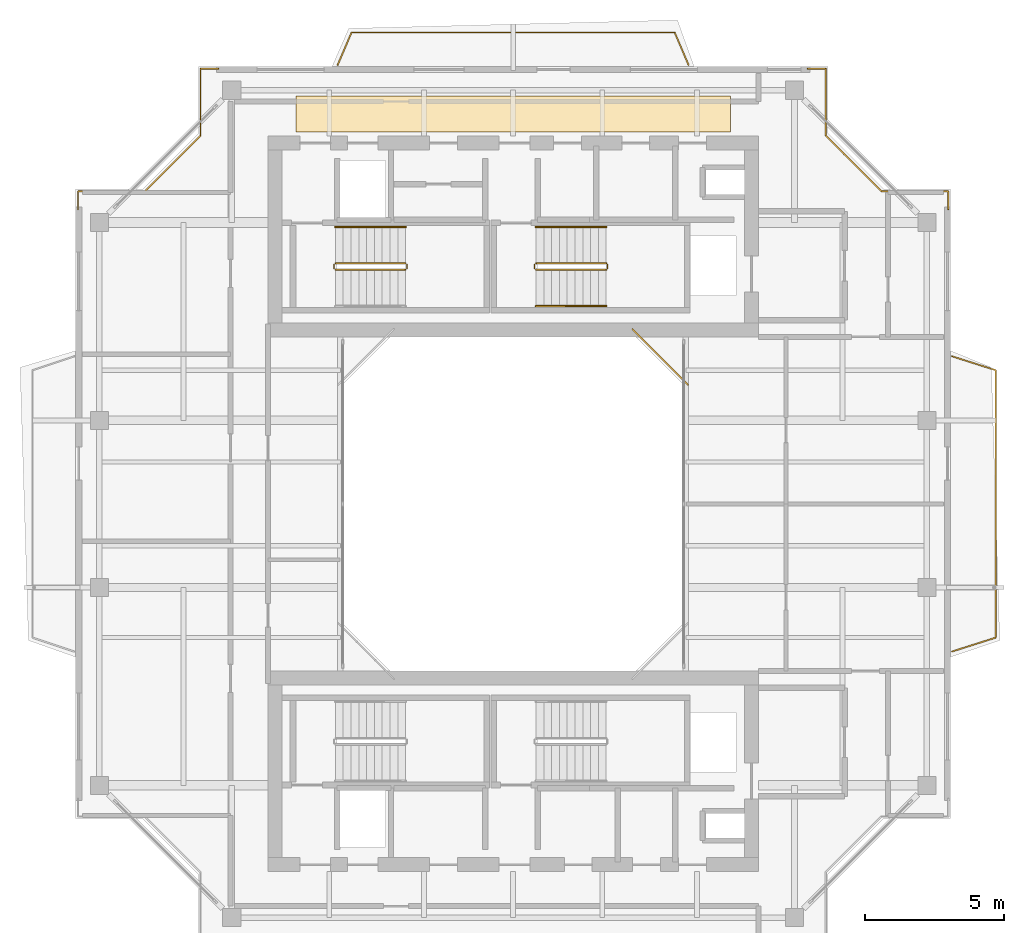
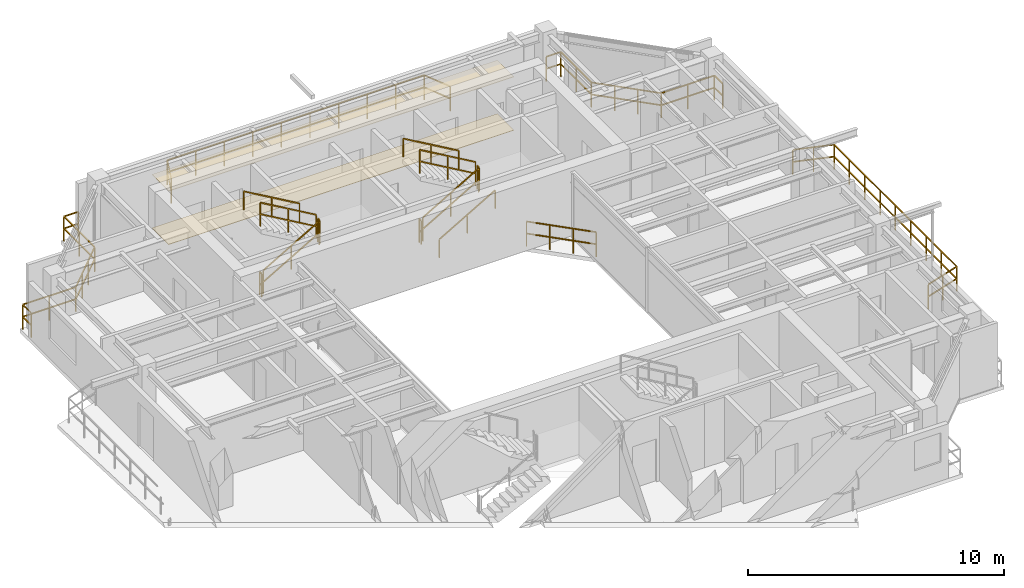
# One storey, part 14 of 14: 16 railings, 2 coverings.
"""IFC4 building model written with IfcOpenShell, lengths in metres."""

from ifc_helpers import new_model, si_unit, direction, frame, origin, origin_2d, place, context, subcontext, project, spatial, polyline, rectangle, outline, extrude, material, layer, layer_set, type_object, element, save


model = new_model("IFC4")

# Units and contexts
model_context = context("Model", 3, precision=1e-05, world=origin(), true_north=direction((0.0, 1.0)))
body_context = subcontext(model_context, "Body", "Model", "MODEL_VIEW")
ifc_project = project(units=[si_unit("LENGTHUNIT", "METRE"), si_unit("AREAUNIT", "SQUARE_METRE"), si_unit("VOLUMEUNIT", "CUBIC_METRE"), si_unit("PLANEANGLEUNIT", "RADIAN"), si_unit("MASSUNIT", "GRAM", prefix="KILO"), si_unit("THERMODYNAMICTEMPERATUREUNIT", "KELVIN"), si_unit("POWERUNIT", "WATT")], contexts=[model_context])

# Site, building, storey
site_placement = place(None, origin())
site = spatial("IfcSite", under=ifc_project, at=site_placement, CompositionType="ELEMENT")
building_placement = place(site_placement, origin())
building = spatial("IfcBuilding", under=site, at=building_placement, Name="Qiaomeng Ring Towers", CompositionType="ELEMENT")
storey_placement = place(building_placement, frame((0.0, 0.0, 240.5)))
storey = spatial("IfcBuildingStorey", under=building, at=storey_placement, Name="L70", CompositionType="ELEMENT", Elevation=240.5)

# Coverings
ifc_material_1 = material(Name="Mineral fibre acoustic ceiling tile", Category="gypsum")
ifc_layer_1 = layer(ifc_material_1, 0.02490234375, Name="Mineral fibre acoustic ceiling tile")
ifc_layer_set_1 = layer_set([ifc_layer_1], Name="Mineral fibre acoustic ceiling tile")
covering_type_1 = type_object("IfcCoveringType", Name="ARC-COV-CEIL1", PredefinedType="CEILING", material=ifc_layer_set_1)
covering_1_placement = place(storey_placement, frame((0.0, 0.0, 2.550048828125)))
element("IfcCovering", 1, at=covering_1_placement, inside=storey, type_object=covering_type_1, Name="L70 Corridor Acoustic Ceiling", PredefinedType="CEILING", context=body_context, shape_type="SweptSolid", body=[
    extrude(outline(polyline([(11.199951171875, 36.35009765625), (11.199951171875, 37.64990234375), (26.800048828125, 37.64990234375), (26.800048828125, 36.35009765625), (11.199951171875, 36.35009765625)])), origin(), (0.0, 0.0, 1.0), 0.02490234375),
])
ifc_material_2 = material(Name="Vitrified porcelain floor tile", Category="ceramic")
ifc_layer_2 = layer(ifc_material_2, 0.02001953125, Name="Vitrified porcelain floor tile")
ifc_layer_set_2 = layer_set([ifc_layer_2], Name="Vitrified porcelain floor tile")
covering_type_2 = type_object("IfcCoveringType", Name="ARC-COV-FLR1", PredefinedType="FLOORING", material=ifc_layer_set_2)
covering_2_placement = place(storey_placement, origin())
element("IfcCovering", 2, at=covering_2_placement, inside=storey, type_object=covering_type_2, Name="L70 Corridor Stone Flooring", PredefinedType="FLOORING", context=body_context, shape_type="SweptSolid", body=[
    extrude(outline(polyline([(11.199951171875, 36.35009765625), (11.199951171875, 37.64990234375), (26.800048828125, 37.64990234375), (26.800048828125, 36.35009765625), (11.199951171875, 36.35009765625)])), origin(), (0.0, 0.0, 1.0), 0.02001953125),
])

# Railings
ifc_material_3 = material(Name="Low-E pale-green laminated safety glass", Category="glass")
railing_type_1 = type_object("IfcRailingType", Name="ARC-RL-BAL1", PredefinedType="BALUSTRADE", material=ifc_material_3)
railing_1_placement = place(storey_placement, frame((25.280029296875, 27.280029296875, 0.0)))
element("IfcRailing", 3, at=railing_1_placement, inside=storey, type_object=railing_type_1, Name="L70 Balustrade ARC-BAL-WELL1-L70-2", PredefinedType="BALUSTRADE", context=body_context, shape_type="SweptSolid", body=[
    extrude(rectangle(XDim=0.048095703125, YDim=0.048095703125, at=origin_2d()), frame((0.0, 0.0, 1.17578125), z_axis=(-0.707106781187, 0.707106781187, 0.0), x_axis=(-0.707106781187, -0.707106781187, 0.0)), (0.0, 0.0, 1.0), 2.828369140625),
    extrude(rectangle(XDim=0.048095703125, YDim=0.048095703125, at=origin_2d()), frame((0.0, 0.0, 0.60009765625), z_axis=(-0.707106781187, 0.707106781187, 0.0), x_axis=(-0.707106781187, -0.707106781187, 0.0)), (0.0, 0.0, 1.0), 2.828369140625),
    extrude(rectangle(XDim=0.0419921875, YDim=0.0419921875, at=origin_2d()), origin(), (0.0, 0.0, 1.0), 1.15185546875),
    extrude(rectangle(XDim=0.0419921875, YDim=0.0419921875, at=origin_2d()), frame((-0.666748046875, 0.666748046875, 0.0)), (0.0, 0.0, 1.0), 1.15185546875),
    extrude(rectangle(XDim=0.0419921875, YDim=0.0419921875, at=origin_2d()), frame((-1.333251953125, 1.333251953125, 0.0)), (0.0, 0.0, 1.0), 1.15185546875),
    extrude(rectangle(XDim=0.0419921875, YDim=0.0419921875, at=origin_2d()), frame((-2.0, 2.0, 0.0)), (0.0, 0.0, 1.0), 1.15185546875),
])
railing_2_placement = place(storey_placement, frame((34.6201171875, 33.570068359375, 0.0)))
element("IfcRailing", 4, at=railing_2_placement, inside=storey, type_object=railing_type_1, Name="L70 Balustrade ARC-BAL-NOTCH1-L70-NE", PredefinedType="BALUSTRADE", context=body_context, shape_type="SweptSolid", body=[
    extrude(rectangle(XDim=0.048095703125, YDim=0.048095703125, at=origin_2d()), frame((0.0, 0.0, 1.17578125), z_axis=(0.0, 1.0, 0.0), x_axis=(-1.0, 0.0, 0.0)), (0.0, 0.0, 1.0), 0.64990234375),
    extrude(rectangle(XDim=0.048095703125, YDim=0.048095703125, at=origin_2d()), frame((0.0, 0.0, 0.60009765625), z_axis=(0.0, 1.0, 0.0), x_axis=(-1.0, 0.0, 0.0)), (0.0, 0.0, 1.0), 0.64990234375),
    extrude(rectangle(XDim=0.048095703125, YDim=0.048095703125, at=origin_2d()), frame((0.0, 0.64990234375, 1.17578125), z_axis=(-1.0, 0.0, 0.0), x_axis=(0.0, -1.0, 0.0)), (0.0, 0.0, 1.0), 2.400146484375),
    extrude(rectangle(XDim=0.048095703125, YDim=0.048095703125, at=origin_2d()), frame((0.0, 0.64990234375, 0.60009765625), z_axis=(-1.0, 0.0, 0.0), x_axis=(0.0, -1.0, 0.0)), (0.0, 0.0, 1.0), 2.400146484375),
    extrude(rectangle(XDim=0.048095703125, YDim=0.048095703125, at=origin_2d()), frame((-2.400146484375, 0.64990234375, 1.17578125), z_axis=(-0.707106781187, 0.707106781187, 0.0), x_axis=(-0.707106781187, -0.707106781187, 0.0)), (0.0, 0.0, 1.0), 2.828369140625),
    extrude(rectangle(XDim=0.048095703125, YDim=0.048095703125, at=origin_2d()), frame((-2.400146484375, 0.64990234375, 0.60009765625), z_axis=(-0.707106781187, 0.707106781187, 0.0), x_axis=(-0.707106781187, -0.707106781187, 0.0)), (0.0, 0.0, 1.0), 2.828369140625),
    extrude(rectangle(XDim=0.048095703125, YDim=0.048095703125, at=origin_2d()), frame((-4.400146484375, 2.64990234375, 1.17578125), z_axis=(0.0, 1.0, 0.0), x_axis=(-1.0, 0.0, 0.0)), (0.0, 0.0, 1.0), 2.400146484375),
    extrude(rectangle(XDim=0.048095703125, YDim=0.048095703125, at=origin_2d()), frame((-4.400146484375, 2.64990234375, 0.60009765625), z_axis=(0.0, 1.0, 0.0), x_axis=(-1.0, 0.0, 0.0)), (0.0, 0.0, 1.0), 2.400146484375),
    extrude(rectangle(XDim=0.048095703125, YDim=0.048095703125, at=origin_2d()), frame((-4.400146484375, 5.050048828125, 1.17578125), z_axis=(-1.0, 0.0, 0.0), x_axis=(0.0, -1.0, 0.0)), (0.0, 0.0, 1.0), 0.64990234375),
    extrude(rectangle(XDim=0.048095703125, YDim=0.048095703125, at=origin_2d()), frame((-4.400146484375, 5.050048828125, 0.60009765625), z_axis=(-1.0, 0.0, 0.0), x_axis=(0.0, -1.0, 0.0)), (0.0, 0.0, 1.0), 0.64990234375),
    extrude(rectangle(XDim=0.0419921875, YDim=0.0419921875, at=origin_2d()), origin(), (0.0, 0.0, 1.0), 1.15185546875),
    extrude(rectangle(XDim=0.0419921875, YDim=0.0419921875, at=origin_2d()), frame((0.0, 0.64990234375, 0.0)), (0.0, 0.0, 1.0), 1.15185546875),
    extrude(rectangle(XDim=0.0419921875, YDim=0.0419921875, at=origin_2d()), frame((-1.2001953125, 0.64990234375, 0.0)), (0.0, 0.0, 1.0), 1.15185546875),
    extrude(rectangle(XDim=0.0419921875, YDim=0.0419921875, at=origin_2d()), frame((-2.400146484375, 0.64990234375, 0.0)), (0.0, 0.0, 1.0), 1.15185546875),
    extrude(rectangle(XDim=0.0419921875, YDim=0.0419921875, at=origin_2d()), frame((-3.06689453125, 1.316650390625, 0.0)), (0.0, 0.0, 1.0), 1.15185546875),
    extrude(rectangle(XDim=0.0419921875, YDim=0.0419921875, at=origin_2d()), frame((-3.7333984375, 1.983154296875, 0.0)), (0.0, 0.0, 1.0), 1.15185546875),
    extrude(rectangle(XDim=0.0419921875, YDim=0.0419921875, at=origin_2d()), frame((-4.400146484375, 2.64990234375, 0.0)), (0.0, 0.0, 1.0), 1.15185546875),
    extrude(rectangle(XDim=0.0419921875, YDim=0.0419921875, at=origin_2d()), frame((-4.400146484375, 3.85009765625, 0.0)), (0.0, 0.0, 1.0), 1.15185546875),
    extrude(rectangle(XDim=0.0419921875, YDim=0.0419921875, at=origin_2d()), frame((-4.400146484375, 5.050048828125, 0.0)), (0.0, 0.0, 1.0), 1.15185546875),
    extrude(rectangle(XDim=0.0419921875, YDim=0.0419921875, at=origin_2d()), frame((-5.050048828125, 5.050048828125, 0.0)), (0.0, 0.0, 1.0), 1.15185546875),
])
railing_3_placement = place(storey_placement, frame((8.429931640625, 38.6201171875, 0.0)))
element("IfcRailing", 5, at=railing_3_placement, inside=storey, type_object=railing_type_1, Name="L70 Balustrade ARC-BAL-NOTCH1-L70-NW", PredefinedType="BALUSTRADE", context=body_context, shape_type="SweptSolid", body=[
    extrude(rectangle(XDim=0.048095703125, YDim=0.048095703125, at=origin_2d()), frame((0.0, 0.0, 1.17578125), z_axis=(-1.0, 0.0, 0.0), x_axis=(0.0, -1.0, 0.0)), (0.0, 0.0, 1.0), 0.64990234375),
    extrude(rectangle(XDim=0.048095703125, YDim=0.048095703125, at=origin_2d()), frame((0.0, 0.0, 0.60009765625), z_axis=(-1.0, 0.0, 0.0), x_axis=(0.0, -1.0, 0.0)), (0.0, 0.0, 1.0), 0.64990234375),
    extrude(rectangle(XDim=0.048095703125, YDim=0.048095703125, at=origin_2d()), frame((-0.64990234375, 0.0, 1.17578125), z_axis=(0.0, -1.0, 0.0), x_axis=(1.0, 0.0, 0.0)), (0.0, 0.0, 1.0), 2.400146484375),
    extrude(rectangle(XDim=0.048095703125, YDim=0.048095703125, at=origin_2d()), frame((-0.64990234375, 0.0, 0.60009765625), z_axis=(0.0, -1.0, 0.0), x_axis=(1.0, 0.0, 0.0)), (0.0, 0.0, 1.0), 2.400146484375),
    extrude(rectangle(XDim=0.048095703125, YDim=0.048095703125, at=origin_2d()), frame((-0.64990234375, -2.400146484375, 1.17578125), z_axis=(-0.707106781187, -0.707106781187, 0.0), x_axis=(0.707106781187, -0.707106781187, 0.0)), (0.0, 0.0, 1.0), 2.828369140625),
    extrude(rectangle(XDim=0.048095703125, YDim=0.048095703125, at=origin_2d()), frame((-0.64990234375, -2.400146484375, 0.60009765625), z_axis=(-0.707106781187, -0.707106781187, 0.0), x_axis=(0.707106781187, -0.707106781187, 0.0)), (0.0, 0.0, 1.0), 2.828369140625),
    extrude(rectangle(XDim=0.048095703125, YDim=0.048095703125, at=origin_2d()), frame((-2.64990234375, -4.400146484375, 1.17578125), z_axis=(-1.0, 0.0, 0.0), x_axis=(0.0, -1.0, 0.0)), (0.0, 0.0, 1.0), 2.400146484375),
    extrude(rectangle(XDim=0.048095703125, YDim=0.048095703125, at=origin_2d()), frame((-2.64990234375, -4.400146484375, 0.60009765625), z_axis=(-1.0, 0.0, 0.0), x_axis=(0.0, -1.0, 0.0)), (0.0, 0.0, 1.0), 2.400146484375),
    extrude(rectangle(XDim=0.048095703125, YDim=0.048095703125, at=origin_2d()), frame((-5.050048828125, -4.400146484375, 1.17578125), z_axis=(0.0, -1.0, 0.0), x_axis=(1.0, 0.0, 0.0)), (0.0, 0.0, 1.0), 0.64990234375),
    extrude(rectangle(XDim=0.048095703125, YDim=0.048095703125, at=origin_2d()), frame((-5.050048828125, -4.400146484375, 0.60009765625), z_axis=(0.0, -1.0, 0.0), x_axis=(1.0, 0.0, 0.0)), (0.0, 0.0, 1.0), 0.64990234375),
    extrude(rectangle(XDim=0.0419921875, YDim=0.0419921875, at=origin_2d()), origin(), (0.0, 0.0, 1.0), 1.15185546875),
    extrude(rectangle(XDim=0.0419921875, YDim=0.0419921875, at=origin_2d()), frame((-0.64990234375, 0.0, 0.0)), (0.0, 0.0, 1.0), 1.15185546875),
    extrude(rectangle(XDim=0.0419921875, YDim=0.0419921875, at=origin_2d()), frame((-0.64990234375, -1.2001953125, 0.0)), (0.0, 0.0, 1.0), 1.15185546875),
    extrude(rectangle(XDim=0.0419921875, YDim=0.0419921875, at=origin_2d()), frame((-0.64990234375, -2.400146484375, 0.0)), (0.0, 0.0, 1.0), 1.15185546875),
    extrude(rectangle(XDim=0.0419921875, YDim=0.0419921875, at=origin_2d()), frame((-1.316650390625, -3.06689453125, 0.0)), (0.0, 0.0, 1.0), 1.15185546875),
    extrude(rectangle(XDim=0.0419921875, YDim=0.0419921875, at=origin_2d()), frame((-1.983154296875, -3.7333984375, 0.0)), (0.0, 0.0, 1.0), 1.15185546875),
    extrude(rectangle(XDim=0.0419921875, YDim=0.0419921875, at=origin_2d()), frame((-2.64990234375, -4.400146484375, 0.0)), (0.0, 0.0, 1.0), 1.15185546875),
    extrude(rectangle(XDim=0.0419921875, YDim=0.0419921875, at=origin_2d()), frame((-3.85009765625, -4.400146484375, 0.0)), (0.0, 0.0, 1.0), 1.15185546875),
    extrude(rectangle(XDim=0.0419921875, YDim=0.0419921875, at=origin_2d()), frame((-5.050048828125, -4.400146484375, 0.0)), (0.0, 0.0, 1.0), 1.15185546875),
    extrude(rectangle(XDim=0.0419921875, YDim=0.0419921875, at=origin_2d()), frame((-5.050048828125, -5.050048828125, 0.0)), (0.0, 0.0, 1.0), 1.15185546875),
])
railing_4_placement = place(storey_placement, frame((34.75, 17.699951171875, 0.0)))
element("IfcRailing", 6, at=railing_4_placement, inside=storey, type_object=railing_type_1, Name="L70 Balustrade ARC-BAL-L70-T1-E", PredefinedType="BALUSTRADE", context=body_context, shape_type="SweptSolid", body=[
    extrude(rectangle(XDim=0.048095703125, YDim=0.048095703125, at=origin_2d()), frame((0.0, 0.0, 1.17578125), z_axis=(0.952849860715, 0.303442157479, 0.0), x_axis=(-0.303442157479, 0.952849860715, 0.0)), (0.0, 0.0, 1.0), 1.647705078125),
    extrude(rectangle(XDim=0.048095703125, YDim=0.048095703125, at=origin_2d()), frame((0.0, 0.0, 0.60009765625), z_axis=(0.952849860715, 0.303442157479, 0.0), x_axis=(-0.303442157479, 0.952849860715, 0.0)), (0.0, 0.0, 1.0), 1.647705078125),
    extrude(rectangle(XDim=0.048095703125, YDim=0.048095703125, at=origin_2d()), frame((1.570068359375, 0.5, 1.17578125), z_axis=(0.0, 1.0, 0.0), x_axis=(-1.0, 0.0, 0.0)), (0.0, 0.0, 1.0), 9.60009765625),
    extrude(rectangle(XDim=0.048095703125, YDim=0.048095703125, at=origin_2d()), frame((1.570068359375, 0.5, 0.60009765625), z_axis=(0.0, 1.0, 0.0), x_axis=(-1.0, 0.0, 0.0)), (0.0, 0.0, 1.0), 9.60009765625),
    extrude(rectangle(XDim=0.048095703125, YDim=0.048095703125, at=origin_2d()), frame((1.570068359375, 10.10009765625, 1.17578125), z_axis=(-0.952849860715, 0.303442157479, 0.0), x_axis=(-0.303442157479, -0.952849860715, 0.0)), (0.0, 0.0, 1.0), 1.647705078125),
    extrude(rectangle(XDim=0.048095703125, YDim=0.048095703125, at=origin_2d()), frame((1.570068359375, 10.10009765625, 0.60009765625), z_axis=(-0.952849860715, 0.303442157479, 0.0), x_axis=(-0.303442157479, -0.952849860715, 0.0)), (0.0, 0.0, 1.0), 1.647705078125),
    extrude(rectangle(XDim=0.0419921875, YDim=0.0419921875, at=origin_2d()), origin(), (0.0, 0.0, 1.0), 1.15185546875),
    extrude(rectangle(XDim=0.0419921875, YDim=0.0419921875, at=origin_2d()), frame((0.78515625, 0.25, 0.0)), (0.0, 0.0, 1.0), 1.15185546875),
    extrude(rectangle(XDim=0.0419921875, YDim=0.0419921875, at=origin_2d()), frame((1.570068359375, 0.5, 0.0)), (0.0, 0.0, 1.0), 1.15185546875),
    extrude(rectangle(XDim=0.0419921875, YDim=0.0419921875, at=origin_2d()), frame((1.570068359375, 1.699951171875, 0.0)), (0.0, 0.0, 1.0), 1.15185546875),
    extrude(rectangle(XDim=0.0419921875, YDim=0.0419921875, at=origin_2d()), frame((1.570068359375, 2.89990234375, 0.0)), (0.0, 0.0, 1.0), 1.15185546875),
    extrude(rectangle(XDim=0.0419921875, YDim=0.0419921875, at=origin_2d()), frame((1.570068359375, 4.10009765625, 0.0)), (0.0, 0.0, 1.0), 1.15185546875),
    extrude(rectangle(XDim=0.0419921875, YDim=0.0419921875, at=origin_2d()), frame((1.570068359375, 5.300048828125, 0.0)), (0.0, 0.0, 1.0), 1.15185546875),
    extrude(rectangle(XDim=0.0419921875, YDim=0.0419921875, at=origin_2d()), frame((1.570068359375, 6.5, 0.0)), (0.0, 0.0, 1.0), 1.15185546875),
    extrude(rectangle(XDim=0.0419921875, YDim=0.0419921875, at=origin_2d()), frame((1.570068359375, 7.7001953125, 0.0)), (0.0, 0.0, 1.0), 1.15185546875),
    extrude(rectangle(XDim=0.0419921875, YDim=0.0419921875, at=origin_2d()), frame((1.570068359375, 8.900146484375, 0.0)), (0.0, 0.0, 1.0), 1.15185546875),
    extrude(rectangle(XDim=0.0419921875, YDim=0.0419921875, at=origin_2d()), frame((1.570068359375, 10.10009765625, 0.0)), (0.0, 0.0, 1.0), 1.15185546875),
    extrude(rectangle(XDim=0.0419921875, YDim=0.0419921875, at=origin_2d()), frame((0.78515625, 10.35009765625, 0.0)), (0.0, 0.0, 1.0), 1.15185546875),
    extrude(rectangle(XDim=0.0419921875, YDim=0.0419921875, at=origin_2d()), frame((0.0, 10.60009765625, 0.0)), (0.0, 0.0, 1.0), 1.15185546875),
])
railing_5_placement = place(storey_placement, frame((12.699951171875, 38.75, 0.0)))
element("IfcRailing", 7, at=railing_5_placement, inside=storey, type_object=railing_type_1, Name="L70 Balustrade ARC-BAL-L70-T1-N", PredefinedType="BALUSTRADE", context=body_context, shape_type="SweptSolid", body=[
    extrude(rectangle(XDim=0.048095703125, YDim=0.048095703125, at=origin_2d()), frame((0.0, 0.0, 1.17578125), z_axis=(0.39299272826, 0.919541579014, 0.0), x_axis=(-0.919541579014, 0.39299272826, 0.0)), (0.0, 0.0, 1.0), 1.272216796875),
    extrude(rectangle(XDim=0.048095703125, YDim=0.048095703125, at=origin_2d()), frame((0.0, 0.0, 0.60009765625), z_axis=(0.39299272826, 0.919541579014, 0.0), x_axis=(-0.919541579014, 0.39299272826, 0.0)), (0.0, 0.0, 1.0), 1.272216796875),
    extrude(rectangle(XDim=0.048095703125, YDim=0.048095703125, at=origin_2d()), frame((0.5, 1.169921875, 1.17578125), z_axis=(1.0, 0.0, 0.0), x_axis=(0.0, 1.0, 0.0)), (0.0, 0.0, 1.0), 11.60009765625),
    extrude(rectangle(XDim=0.048095703125, YDim=0.048095703125, at=origin_2d()), frame((0.5, 1.169921875, 0.60009765625), z_axis=(1.0, 0.0, 0.0), x_axis=(0.0, 1.0, 0.0)), (0.0, 0.0, 1.0), 11.60009765625),
    extrude(rectangle(XDim=0.048095703125, YDim=0.048095703125, at=origin_2d()), frame((12.10009765625, 1.169921875, 1.17578125), z_axis=(0.39299272826, -0.919541579014, 0.0), x_axis=(0.919541579014, 0.39299272826, 0.0)), (0.0, 0.0, 1.0), 1.272216796875),
    extrude(rectangle(XDim=0.048095703125, YDim=0.048095703125, at=origin_2d()), frame((12.10009765625, 1.169921875, 0.60009765625), z_axis=(0.39299272826, -0.919541579014, 0.0), x_axis=(0.919541579014, 0.39299272826, 0.0)), (0.0, 0.0, 1.0), 1.272216796875),
    extrude(rectangle(XDim=0.0419921875, YDim=0.0419921875, at=origin_2d()), origin(), (0.0, 0.0, 1.0), 1.15185546875),
    extrude(rectangle(XDim=0.0419921875, YDim=0.0419921875, at=origin_2d()), frame((0.5, 1.169921875, 0.0)), (0.0, 0.0, 1.0), 1.15185546875),
    extrude(rectangle(XDim=0.0419921875, YDim=0.0419921875, at=origin_2d()), frame((1.788818359375, 1.169921875, 0.0)), (0.0, 0.0, 1.0), 1.15185546875),
    extrude(rectangle(XDim=0.0419921875, YDim=0.0419921875, at=origin_2d()), frame((3.077880859375, 1.169921875, 0.0)), (0.0, 0.0, 1.0), 1.15185546875),
    extrude(rectangle(XDim=0.0419921875, YDim=0.0419921875, at=origin_2d()), frame((4.36669921875, 1.169921875, 0.0)), (0.0, 0.0, 1.0), 1.15185546875),
    extrude(rectangle(XDim=0.0419921875, YDim=0.0419921875, at=origin_2d()), frame((5.655517578125, 1.169921875, 0.0)), (0.0, 0.0, 1.0), 1.15185546875),
    extrude(rectangle(XDim=0.0419921875, YDim=0.0419921875, at=origin_2d()), frame((6.944580078125, 1.169921875, 0.0)), (0.0, 0.0, 1.0), 1.15185546875),
    extrude(rectangle(XDim=0.0419921875, YDim=0.0419921875, at=origin_2d()), frame((8.2333984375, 1.169921875, 0.0)), (0.0, 0.0, 1.0), 1.15185546875),
    extrude(rectangle(XDim=0.0419921875, YDim=0.0419921875, at=origin_2d()), frame((9.522216796875, 1.169921875, 0.0)), (0.0, 0.0, 1.0), 1.15185546875),
    extrude(rectangle(XDim=0.0419921875, YDim=0.0419921875, at=origin_2d()), frame((10.811279296875, 1.169921875, 0.0)), (0.0, 0.0, 1.0), 1.15185546875),
    extrude(rectangle(XDim=0.0419921875, YDim=0.0419921875, at=origin_2d()), frame((12.10009765625, 1.169921875, 0.0)), (0.0, 0.0, 1.0), 1.15185546875),
    extrude(rectangle(XDim=0.0419921875, YDim=0.0419921875, at=origin_2d()), frame((12.60009765625, 0.0, 0.0)), (0.0, 0.0, 1.0), 1.15185546875),
])
ifc_material_4 = material(Name="Galvanised steel", Category="steel")
railing_type_2 = type_object("IfcRailingType", Name="ARC-RL-GUARD", PredefinedType="GUARDRAIL", material=ifc_material_4)
railing_6_placement = place(storey_placement, frame((12.6201171875, 31.39990234375, 0.16259765625)))
element("IfcRailing", 8, at=railing_6_placement, inside=storey, type_object=railing_type_2, Name="L70 ST1 stair guard 1", PredefinedType="GUARDRAIL", context=body_context, shape_type="SweptSolid", body=[
    extrude(rectangle(XDim=0.048095703125, YDim=0.048095703125, at=origin_2d()), frame((0.0, 0.0, 1.1259765625), z_axis=(0.864892226395, 0.0, 0.501957604506), x_axis=(0.0, 1.0, 0.0)), (0.0, 0.0, 1.0), 2.913330078125),
    extrude(rectangle(XDim=0.048095703125, YDim=0.048095703125, at=origin_2d()), frame((0.0, 0.0, 0.574951171875), z_axis=(0.864892226395, 0.0, 0.501957604506), x_axis=(0.0, 1.0, 0.0)), (0.0, 0.0, 1.0), 2.913330078125),
    extrude(rectangle(XDim=0.0419921875, YDim=0.0419921875, at=origin_2d()), origin(), (0.0, 0.0, 1.0), 1.101806640625),
    extrude(rectangle(XDim=0.0419921875, YDim=0.0419921875, at=origin_2d()), frame((1.259765625, 0.0, 0.731201171875)), (0.0, 0.0, 1.0), 1.101806640625),
    extrude(rectangle(XDim=0.0419921875, YDim=0.0419921875, at=origin_2d()), frame((2.519775390625, 0.0, 1.46240234375)), (0.0, 0.0, 1.0), 1.101806640625),
])
railing_7_placement = place(storey_placement, frame((15.18994140625, 31.449951171875, 1.625)))
element("IfcRailing", 9, at=railing_7_placement, inside=storey, type_object=railing_type_2, Name="L70 ST1 stair guard 2", PredefinedType="GUARDRAIL", context=body_context, shape_type="SweptSolid", body=[
    extrude(rectangle(XDim=0.048095703125, YDim=0.048095703125, at=origin_2d()), frame((0.0, 0.0, 1.1259765625), z_axis=(0.0, 1.0, 0.0), x_axis=(-1.0, 0.0, 0.0)), (0.0, 0.0, 1.0), 0.14013671875),
    extrude(rectangle(XDim=0.048095703125, YDim=0.048095703125, at=origin_2d()), frame((0.0, 0.0, 0.574951171875), z_axis=(0.0, 1.0, 0.0), x_axis=(-1.0, 0.0, 0.0)), (0.0, 0.0, 1.0), 0.14013671875),
    extrude(rectangle(XDim=0.0419921875, YDim=0.0419921875, at=origin_2d()), origin(), (0.0, 0.0, 1.0), 1.101806640625),
    extrude(rectangle(XDim=0.0419921875, YDim=0.0419921875, at=origin_2d()), frame((0.0, 0.14013671875, 0.0)), (0.0, 0.0, 1.0), 1.101806640625),
])
railing_8_placement = place(storey_placement, frame((15.139892578125, 31.639892578125, 1.78759765625)))
element("IfcRailing", 10, at=railing_8_placement, inside=storey, type_object=railing_type_2, Name="L70 ST1 stair guard 3", PredefinedType="GUARDRAIL", context=body_context, shape_type="SweptSolid", body=[
    extrude(rectangle(XDim=0.048095703125, YDim=0.048095703125, at=origin_2d()), frame((0.0, 0.0, 1.1259765625), z_axis=(-0.864892226395, 0.0, 0.501957604506), x_axis=(0.0, -1.0, 0.0)), (0.0, 0.0, 1.0), 2.913330078125),
    extrude(rectangle(XDim=0.048095703125, YDim=0.048095703125, at=origin_2d()), frame((0.0, 0.0, 0.574951171875), z_axis=(-0.864892226395, 0.0, 0.501957604506), x_axis=(0.0, -1.0, 0.0)), (0.0, 0.0, 1.0), 2.913330078125),
    extrude(rectangle(XDim=0.0419921875, YDim=0.0419921875, at=origin_2d()), origin(), (0.0, 0.0, 1.0), 1.101806640625),
    extrude(rectangle(XDim=0.0419921875, YDim=0.0419921875, at=origin_2d()), frame((-1.259765625, 0.0, 0.731201171875)), (0.0, 0.0, 1.0), 1.101806640625),
    extrude(rectangle(XDim=0.0419921875, YDim=0.0419921875, at=origin_2d()), frame((-2.519775390625, 0.0, 1.46240234375)), (0.0, 0.0, 1.0), 1.101806640625),
])
railing_9_placement = place(storey_placement, frame((12.570068359375, 31.449951171875, 0.0)))
element("IfcRailing", 11, at=railing_9_placement, inside=storey, type_object=railing_type_2, Name="L70 ST1 stair guard 4", PredefinedType="GUARDRAIL", context=body_context, shape_type="SweptSolid", body=[
    extrude(rectangle(XDim=0.048095703125, YDim=0.048095703125, at=origin_2d()), frame((0.0, 0.0, 1.1259765625), z_axis=(0.0, 1.0, 0.0), x_axis=(-1.0, 0.0, 0.0)), (0.0, 0.0, 1.0), 0.14013671875),
    extrude(rectangle(XDim=0.048095703125, YDim=0.048095703125, at=origin_2d()), frame((0.0, 0.0, 0.574951171875), z_axis=(0.0, 1.0, 0.0), x_axis=(-1.0, 0.0, 0.0)), (0.0, 0.0, 1.0), 0.14013671875),
    extrude(rectangle(XDim=0.0419921875, YDim=0.0419921875, at=origin_2d()), origin(), (0.0, 0.0, 1.0), 1.101806640625),
    extrude(rectangle(XDim=0.0419921875, YDim=0.0419921875, at=origin_2d()), frame((0.0, 0.14013671875, 0.0)), (0.0, 0.0, 1.0), 1.101806640625),
])
railing_10_placement = place(storey_placement, frame((19.820068359375, 31.39990234375, 0.16259765625)))
element("IfcRailing", 12, at=railing_10_placement, inside=storey, type_object=railing_type_2, Name="L70 ST2 stair guard 1", PredefinedType="GUARDRAIL", context=body_context, shape_type="SweptSolid", body=[
    extrude(rectangle(XDim=0.048095703125, YDim=0.048095703125, at=origin_2d()), frame((0.0, 0.0, 1.1259765625), z_axis=(0.864913338283, 0.0, 0.50192122615), x_axis=(0.0, 1.0, 0.0)), (0.0, 0.0, 1.0), 2.91357421875),
    extrude(rectangle(XDim=0.048095703125, YDim=0.048095703125, at=origin_2d()), frame((0.0, 0.0, 0.574951171875), z_axis=(0.864913338283, 0.0, 0.50192122615), x_axis=(0.0, 1.0, 0.0)), (0.0, 0.0, 1.0), 2.91357421875),
    extrude(rectangle(XDim=0.0419921875, YDim=0.0419921875, at=origin_2d()), origin(), (0.0, 0.0, 1.0), 1.101806640625),
    extrude(rectangle(XDim=0.0419921875, YDim=0.0419921875, at=origin_2d()), frame((1.260009765625, 0.0, 0.731201171875)), (0.0, 0.0, 1.0), 1.101806640625),
    extrude(rectangle(XDim=0.0419921875, YDim=0.0419921875, at=origin_2d()), frame((2.52001953125, 0.0, 1.46240234375)), (0.0, 0.0, 1.0), 1.101806640625),
])
railing_11_placement = place(storey_placement, frame((22.389892578125, 31.449951171875, 1.625)))
element("IfcRailing", 13, at=railing_11_placement, inside=storey, type_object=railing_type_2, Name="L70 ST2 stair guard 2", PredefinedType="GUARDRAIL", context=body_context, shape_type="SweptSolid", body=[
    extrude(rectangle(XDim=0.048095703125, YDim=0.048095703125, at=origin_2d()), frame((0.0, 0.0, 1.1259765625), z_axis=(0.0, 1.0, 0.0), x_axis=(-1.0, 0.0, 0.0)), (0.0, 0.0, 1.0), 0.14013671875),
    extrude(rectangle(XDim=0.048095703125, YDim=0.048095703125, at=origin_2d()), frame((0.0, 0.0, 0.574951171875), z_axis=(0.0, 1.0, 0.0), x_axis=(-1.0, 0.0, 0.0)), (0.0, 0.0, 1.0), 0.14013671875),
    extrude(rectangle(XDim=0.0419921875, YDim=0.0419921875, at=origin_2d()), origin(), (0.0, 0.0, 1.0), 1.101806640625),
    extrude(rectangle(XDim=0.0419921875, YDim=0.0419921875, at=origin_2d()), frame((0.0, 0.14013671875, 0.0)), (0.0, 0.0, 1.0), 1.101806640625),
])
railing_12_placement = place(storey_placement, frame((22.340087890625, 31.639892578125, 1.78759765625)))
element("IfcRailing", 14, at=railing_12_placement, inside=storey, type_object=railing_type_2, Name="L70 ST2 stair guard 3", PredefinedType="GUARDRAIL", context=body_context, shape_type="SweptSolid", body=[
    extrude(rectangle(XDim=0.048095703125, YDim=0.048095703125, at=origin_2d()), frame((0.0, 0.0, 1.1259765625), z_axis=(-0.864913338283, 0.0, 0.50192122615), x_axis=(0.0, -1.0, 0.0)), (0.0, 0.0, 1.0), 2.91357421875),
    extrude(rectangle(XDim=0.048095703125, YDim=0.048095703125, at=origin_2d()), frame((0.0, 0.0, 0.574951171875), z_axis=(-0.864913338283, 0.0, 0.50192122615), x_axis=(0.0, -1.0, 0.0)), (0.0, 0.0, 1.0), 2.91357421875),
    extrude(rectangle(XDim=0.0419921875, YDim=0.0419921875, at=origin_2d()), origin(), (0.0, 0.0, 1.0), 1.101806640625),
    extrude(rectangle(XDim=0.0419921875, YDim=0.0419921875, at=origin_2d()), frame((-1.260009765625, 0.0, 0.731201171875)), (0.0, 0.0, 1.0), 1.101806640625),
    extrude(rectangle(XDim=0.0419921875, YDim=0.0419921875, at=origin_2d()), frame((-2.52001953125, 0.0, 1.46240234375)), (0.0, 0.0, 1.0), 1.101806640625),
])
railing_13_placement = place(storey_placement, frame((19.77001953125, 31.449951171875, 0.0)))
element("IfcRailing", 15, at=railing_13_placement, inside=storey, type_object=railing_type_2, Name="L70 ST2 stair guard 4", PredefinedType="GUARDRAIL", context=body_context, shape_type="SweptSolid", body=[
    extrude(rectangle(XDim=0.048095703125, YDim=0.048095703125, at=origin_2d()), frame((0.0, 0.0, 1.1259765625), z_axis=(0.0, 1.0, 0.0), x_axis=(-1.0, 0.0, 0.0)), (0.0, 0.0, 1.0), 0.14013671875),
    extrude(rectangle(XDim=0.048095703125, YDim=0.048095703125, at=origin_2d()), frame((0.0, 0.0, 0.574951171875), z_axis=(0.0, 1.0, 0.0), x_axis=(-1.0, 0.0, 0.0)), (0.0, 0.0, 1.0), 0.14013671875),
    extrude(rectangle(XDim=0.0419921875, YDim=0.0419921875, at=origin_2d()), origin(), (0.0, 0.0, 1.0), 1.101806640625),
    extrude(rectangle(XDim=0.0419921875, YDim=0.0419921875, at=origin_2d()), frame((0.0, 0.14013671875, 0.0)), (0.0, 0.0, 1.0), 1.101806640625),
])
ifc_material_5 = material(Name="Stainless steel 316", Category="steel")
railing_type_3 = type_object("IfcRailingType", Name="ARC-RL-HAND", PredefinedType="HANDRAIL", material=ifc_material_5)
railing_14_placement = place(storey_placement, frame((15.139892578125, 32.93994140625, 1.78759765625)))
element("IfcRailing", 16, at=railing_14_placement, inside=storey, type_object=railing_type_3, Name="L70 ST1 stair handrail 2", PredefinedType="HANDRAIL", context=body_context, shape_type="SweptSolid", body=[
    extrude(rectangle(XDim=0.048095703125, YDim=0.048095703125, at=origin_2d()), frame((0.0, 0.0, 0.8759765625), z_axis=(-0.864892226395, 0.0, 0.501957604506), x_axis=(0.0, -1.0, 0.0)), (0.0, 0.0, 1.0), 2.913330078125),
    extrude(rectangle(XDim=0.0419921875, YDim=0.0419921875, at=origin_2d()), origin(), (0.0, 0.0, 1.0), 0.851806640625),
    extrude(rectangle(XDim=0.0419921875, YDim=0.0419921875, at=origin_2d()), frame((-1.259765625, 0.0, 0.731201171875)), (0.0, 0.0, 1.0), 0.851806640625),
    extrude(rectangle(XDim=0.0419921875, YDim=0.0419921875, at=origin_2d()), frame((-2.519775390625, 0.0, 1.46240234375)), (0.0, 0.0, 1.0), 0.851806640625),
])
railing_15_placement = place(storey_placement, frame((19.820068359375, 30.10009765625, 0.16259765625)))
element("IfcRailing", 17, at=railing_15_placement, inside=storey, type_object=railing_type_3, Name="L70 ST2 stair handrail 1", PredefinedType="HANDRAIL", context=body_context, shape_type="SweptSolid", body=[
    extrude(rectangle(XDim=0.048095703125, YDim=0.048095703125, at=origin_2d()), frame((0.0, 0.0, 0.8759765625), z_axis=(0.864913338283, 0.0, 0.50192122615), x_axis=(0.0, 1.0, 0.0)), (0.0, 0.0, 1.0), 2.91357421875),
    extrude(rectangle(XDim=0.0419921875, YDim=0.0419921875, at=origin_2d()), origin(), (0.0, 0.0, 1.0), 0.851806640625),
    extrude(rectangle(XDim=0.0419921875, YDim=0.0419921875, at=origin_2d()), frame((1.260009765625, 0.0, 0.731201171875)), (0.0, 0.0, 1.0), 0.851806640625),
    extrude(rectangle(XDim=0.0419921875, YDim=0.0419921875, at=origin_2d()), frame((2.52001953125, 0.0, 1.46240234375)), (0.0, 0.0, 1.0), 0.851806640625),
])
railing_16_placement = place(storey_placement, frame((22.340087890625, 32.93994140625, 1.78759765625)))
element("IfcRailing", 18, at=railing_16_placement, inside=storey, type_object=railing_type_3, Name="L70 ST2 stair handrail 2", PredefinedType="HANDRAIL", context=body_context, shape_type="SweptSolid", body=[
    extrude(rectangle(XDim=0.048095703125, YDim=0.048095703125, at=origin_2d()), frame((0.0, 0.0, 0.8759765625), z_axis=(-0.864913338283, 0.0, 0.50192122615), x_axis=(0.0, -1.0, 0.0)), (0.0, 0.0, 1.0), 2.91357421875),
    extrude(rectangle(XDim=0.0419921875, YDim=0.0419921875, at=origin_2d()), origin(), (0.0, 0.0, 1.0), 0.851806640625),
    extrude(rectangle(XDim=0.0419921875, YDim=0.0419921875, at=origin_2d()), frame((-1.260009765625, 0.0, 0.731201171875)), (0.0, 0.0, 1.0), 0.851806640625),
    extrude(rectangle(XDim=0.0419921875, YDim=0.0419921875, at=origin_2d()), frame((-2.52001953125, 0.0, 1.46240234375)), (0.0, 0.0, 1.0), 0.851806640625),
])

save(model, "model.ifc")
